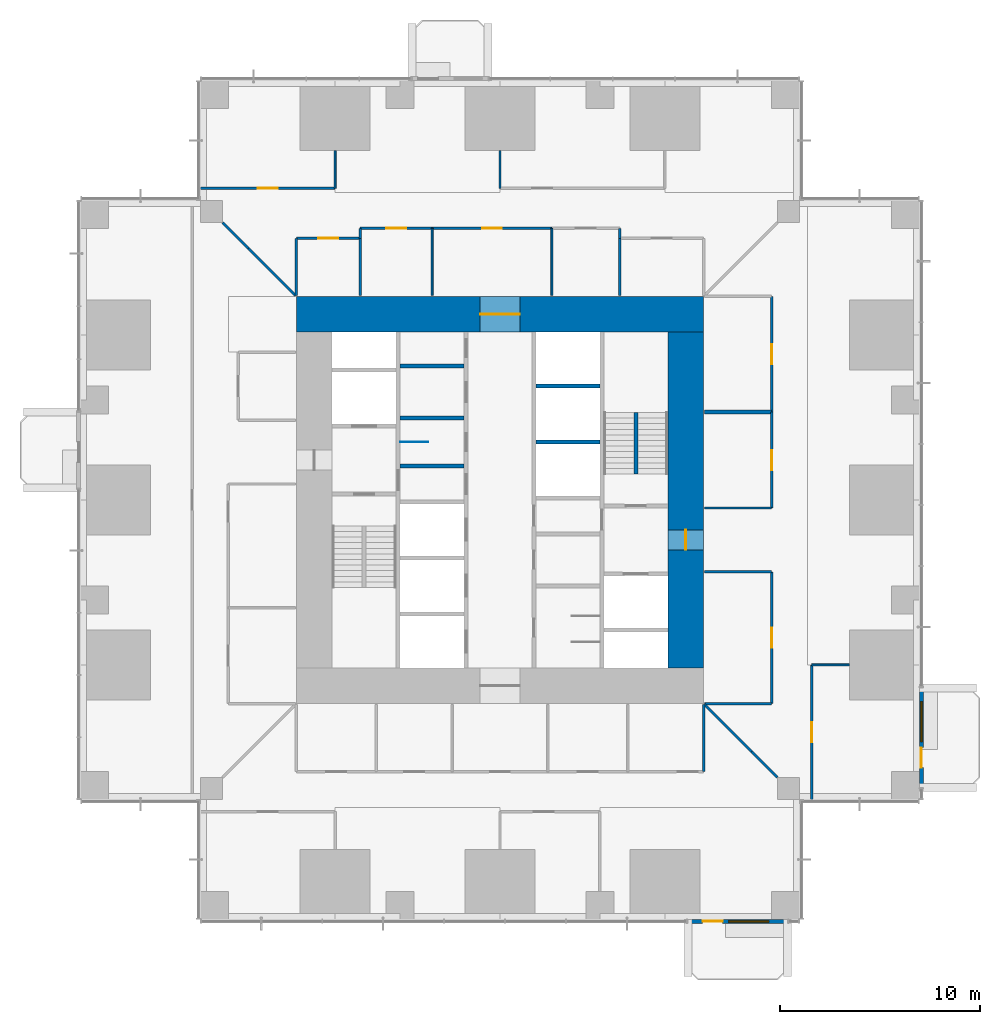
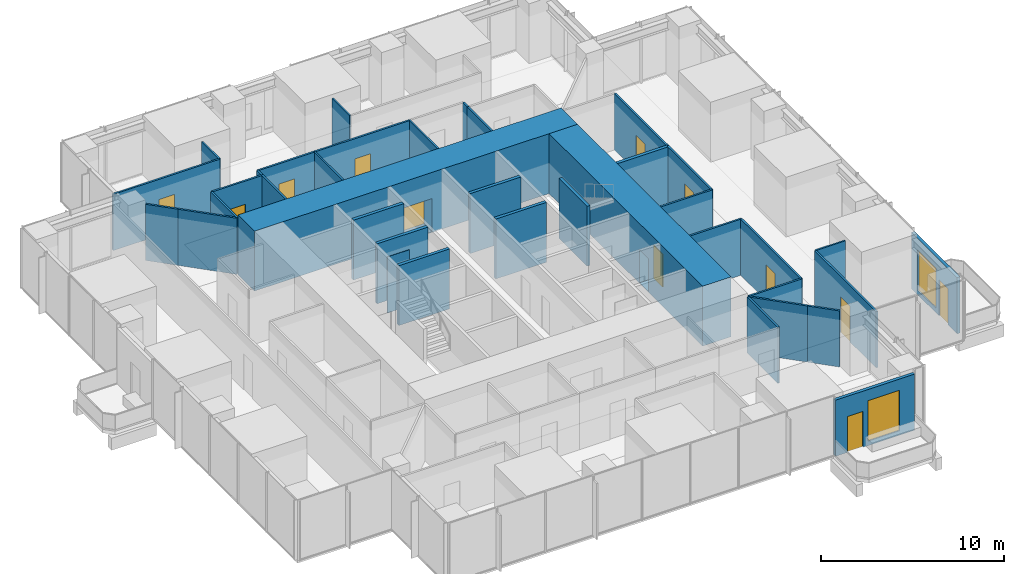
# One storey, part 11 of 15: 38 walls, 12 doors, 2 windows, 14 openings.
"""IFC4 building model written with IfcOpenShell, lengths in metres."""

from ifc_helpers import new_model, si_unit, direction, frame, frame_2d, origin, place, context, subcontext, project, spatial, rectangle, extrude, material, layer, layer_set, type_object, element, fill, save


model = new_model("IFC4")

# Units and contexts
model_context = context("Model", 3, precision=1e-05, world=origin(), true_north=direction((0.0, 1.0)))
body_context = subcontext(model_context, "Body", "Model", "MODEL_VIEW")
ifc_project = project(units=[si_unit("LENGTHUNIT", "METRE"), si_unit("AREAUNIT", "SQUARE_METRE"), si_unit("VOLUMEUNIT", "CUBIC_METRE"), si_unit("PLANEANGLEUNIT", "RADIAN"), si_unit("MASSUNIT", "GRAM", prefix="KILO")], contexts=[model_context])

# Site, building, storey
site_placement = place(None, origin())
site = spatial("IfcSite", under=ifc_project, at=site_placement, CompositionType="ELEMENT")
building_placement = place(site_placement, origin())
building = spatial("IfcBuilding", under=site, at=building_placement, Name="Svetlomir Tower", CompositionType="ELEMENT")
storey_placement = place(building_placement, frame((0.0, 0.0, 42.5)))
storey = spatial("IfcBuildingStorey", under=building, at=storey_placement, Name="L09", CompositionType="ELEMENT", Elevation=42.5)

# Wall
ifc_material_1 = material(Name="Gypsum board on twin steel studs", Category="steel")
ifc_layer_1 = layer(ifc_material_1, 0.199951171875)
ifc_layer_set_1 = layer_set([ifc_layer_1], Name="Gypsum board on twin steel studs")
wall_type_1 = type_object("IfcWallType", Name="ACOUSTIC PARTITION 200", PredefinedType="PARTITIONING", material=ifc_layer_set_1)
wall_1_placement = place(storey_placement, frame((31.25, 25.39990234375, 0.0), z_axis=(0.0, 0.0, 1.0), x_axis=(1.0, 0.0, 0.0)))
element("IfcWall", 1, at=wall_1_placement, inside=storey, type_object=wall_type_1, Name="Acoustic partition L09", PredefinedType="PARTITIONING", context=body_context, shape_type="SweptSolid", body=[
    extrude(rectangle(XDim=3.35009765625, YDim=0.199951171875, at=frame_2d((1.675048828125, 0.0))), origin(), (0.0, 0.0, 1.0), 3.75),
])

# Wall, openings, door, window
ifc_material_2 = material(Name="Bronze anodised aluminium glazed screen", Category="aluminium")
ifc_layer_2 = layer(ifc_material_2, 0.199951171875)
ifc_layer_set_2 = layer_set([ifc_layer_2], Name="Bronze anodised aluminium glazed screen")
wall_type_2 = type_object("IfcWallType", Name="BALCONY SCREEN WALL 200", PredefinedType="USERDEFINED", material=ifc_layer_set_2)
wall_2_placement = place(storey_placement, frame((30.39990234375, -0.10009765625, 0.0), z_axis=(0.0, 0.0, 1.0), x_axis=(1.0, 0.0, 0.0)))
wall_2 = element("IfcWall", 2, at=wall_2_placement, inside=storey, type_object=wall_type_2, Name="Balcony screen S", ObjectType="GLAZED SCREEN", PredefinedType="USERDEFINED", context=body_context, shape_type="SweptSolid", body=[
    extrude(rectangle(XDim=5.0, YDim=0.199951171875, at=frame_2d((2.5, 0.0))), origin(), (0.0, 0.0, 1.0), 3.75),
])
opening_1_placement = place(wall_2_placement, frame((0.75, 0.0, 0.0)))
opening_1 = element("IfcOpeningElement", 3, at=opening_1_placement, cuts=wall_2, Name="Opening BD", PredefinedType="OPENING", context=body_context, shape_type="SweptSolid", body=[
    extrude(rectangle(XDim=1.0, YDim=2.39990234375, at=frame_2d((0.5, 1.199951171875))), frame((0.0, 0.10986328125, 0.0), z_axis=(0.0, -1.0, 0.0), x_axis=(1.0, 0.0, 0.0)), (0.0, 0.0, 1.0), 0.219970703125),
])
opening_2_placement = place(wall_2_placement, frame((2.050048828125, 0.0, 0.300048828125)))
opening_2 = element("IfcOpeningElement", 4, at=opening_2_placement, cuts=wall_2, Name="Opening WS", PredefinedType="OPENING", context=body_context, shape_type="SweptSolid", body=[
    extrude(rectangle(XDim=2.0, YDim=2.699951171875, at=frame_2d((1.0, 1.35009765625))), frame((0.0, 0.10986328125, 0.0), z_axis=(0.0, -1.0, 0.0), x_axis=(1.0, 0.0, 0.0)), (0.0, 0.0, 1.0), 0.219970703125),
])
ifc_material_3 = material(Name="Bronze anodised aluminium glazed door", Category="aluminium")
door_type_1 = type_object("IfcDoorType", Name="BALCONY DOOR BD 1000x2400", OperationType="SINGLE_SWING_LEFT", PredefinedType="DOOR", material=ifc_material_3)
door_1_placement = place(opening_1_placement, origin())
door_1 = element("IfcDoor", 5, at=door_1_placement, inside=storey, type_object=door_type_1, Name="Balcony screen S door", OperationType="SINGLE_SWING_LEFT", OverallHeight=2.39990234375, OverallWidth=1.0, PredefinedType="DOOR", context=body_context, shape_type="SweptSolid", body=[
    extrude(rectangle(XDim=1.0, YDim=2.39990234375, at=frame_2d((0.5, 1.199951171875))), frame((0.0, 0.02490234375, 0.0), z_axis=(0.0, -1.0, 0.0), x_axis=(1.0, 0.0, 0.0)), (0.0, 0.0, 1.0), 0.050048828125),
])
fill(opening_1, door_1)
ifc_material_4 = material(Name="Bronze anodised aluminium window", Category="aluminium")
window_type = type_object("IfcWindowType", Name="SCREEN WINDOW WS 2000x2700", PartitioningType="SINGLE_PANEL", PredefinedType="WINDOW", material=ifc_material_4)
window_1_placement = place(opening_2_placement, origin())
window_1 = element("IfcWindow", 6, at=window_1_placement, inside=storey, type_object=window_type, Name="Balcony screen S window 1", OverallHeight=2.699951171875, OverallWidth=2.0, PartitioningType="SINGLE_PANEL", PredefinedType="WINDOW", context=body_context, shape_type="SweptSolid", body=[
    extrude(rectangle(XDim=2.0, YDim=2.699951171875, at=frame_2d((1.0, 1.35009765625))), frame((0.0, 0.030029296875, 0.0), z_axis=(0.0, -1.0, 0.0), x_axis=(1.0, 0.0, 0.0)), (0.0, 0.0, 1.0), 0.06005859375),
])
fill(opening_2, window_1)

wall_3_placement = place(storey_placement, frame((42.10009765625, 6.60009765625, 0.0), z_axis=(0.0, 0.0, 1.0), x_axis=(0.0, 1.0, 0.0)))
wall_3 = element("IfcWall", 7, at=wall_3_placement, inside=storey, type_object=wall_type_2, Name="Balcony screen E", ObjectType="GLAZED SCREEN", PredefinedType="USERDEFINED", context=body_context, shape_type="SweptSolid", body=[
    extrude(rectangle(XDim=5.0, YDim=0.199951171875, at=frame_2d((2.5, 0.0))), origin(), (0.0, 0.0, 1.0), 3.75),
])
opening_3_placement = place(wall_3_placement, frame((1.0, 0.0, 0.0)))
opening_3 = element("IfcOpeningElement", 8, at=opening_3_placement, cuts=wall_3, Name="Opening BD", PredefinedType="OPENING", context=body_context, shape_type="SweptSolid", body=[
    extrude(rectangle(XDim=1.0, YDim=2.39990234375, at=frame_2d((0.5, 1.199951171875))), frame((0.0, 0.10986328125, 0.0), z_axis=(0.0, -1.0, 0.0), x_axis=(1.0, 0.0, 0.0)), (0.0, 0.0, 1.0), 0.219970703125),
])
opening_4_placement = place(wall_3_placement, frame((2.300048828125, 0.0, 0.300048828125)))
opening_4 = element("IfcOpeningElement", 9, at=opening_4_placement, cuts=wall_3, Name="Opening WS", PredefinedType="OPENING", context=body_context, shape_type="SweptSolid", body=[
    extrude(rectangle(XDim=2.0, YDim=2.699951171875, at=frame_2d((1.0, 1.35009765625))), frame((0.0, 0.10986328125, 0.0), z_axis=(0.0, -1.0, 0.0), x_axis=(1.0, 0.0, 0.0)), (0.0, 0.0, 1.0), 0.219970703125),
])
door_2_placement = place(opening_3_placement, origin())
door_2 = element("IfcDoor", 10, at=door_2_placement, inside=storey, type_object=door_type_1, Name="Balcony screen E door", OperationType="SINGLE_SWING_LEFT", OverallHeight=2.39990234375, OverallWidth=1.0, PredefinedType="DOOR", context=body_context, shape_type="SweptSolid", body=[
    extrude(rectangle(XDim=1.0, YDim=2.39990234375, at=frame_2d((0.5, 1.199951171875))), frame((0.0, 0.02490234375, 0.0), z_axis=(0.0, -1.0, 0.0), x_axis=(1.0, 0.0, 0.0)), (0.0, 0.0, 1.0), 0.050048828125),
])
fill(opening_3, door_2)
window_2_placement = place(opening_4_placement, origin())
window_2 = element("IfcWindow", 11, at=window_2_placement, inside=storey, type_object=window_type, Name="Balcony screen E window 1", OverallHeight=2.699951171875, OverallWidth=2.0, PartitioningType="SINGLE_PANEL", PredefinedType="WINDOW", context=body_context, shape_type="SweptSolid", body=[
    extrude(rectangle(XDim=2.0, YDim=2.699951171875, at=frame_2d((1.0, 1.35009765625))), frame((0.0, 0.030029296875, 0.0), z_axis=(0.0, -1.0, 0.0), x_axis=(1.0, 0.0, 0.0)), (0.0, 0.0, 1.0), 0.06005859375),
])
fill(opening_4, window_2)

# Walls
ifc_material_5 = material(Name="Concrete C60/75", Category="concrete")
ifc_layer_3 = layer(ifc_material_5, 0.199951171875)
ifc_layer_set_3 = layer_set([ifc_layer_3], Name="Concrete C60/75")
wall_type_3 = type_object("IfcWallType", Name="CORE INNER WALL 200", PredefinedType="SHEAR", material=ifc_layer_set_3)
for number, where, z_axis, x_axis, name in (
    (12, (16.0, 22.699951171875, -0.050048828125), (0.0, 0.0, 1.0), (1.0, 0.0, 0.0), "Core inner wall 16-19.2/22.7 L09"),
    (13, (16.0, 25.10009765625, -0.050048828125), (0.0, 0.0, 1.0), (1.0, 0.0, 0.0), "Core inner wall 16-19.2/25.1 L09"),
    (14, (16.0, 27.699951171875, -0.050048828125), (0.0, 0.0, 1.0), (1.0, 0.0, 0.0), "Core inner wall 16-19.2/27.7 L09"),
    (15, (22.800048828125, 23.89990234375, -0.050048828125), (0.0, 0.0, 1.0), (1.0, 0.0, 0.0), "Core inner wall 22.8-26/23.9 L09"),
    (16, (22.800048828125, 26.699951171875, -0.050048828125), (0.0, 0.0, 1.0), (1.0, 0.0, 0.0), "Core inner wall 22.8-26/26.7 L09"),
):
    element("IfcWall", number, at=place(storey_placement, frame(where, z_axis=z_axis, x_axis=x_axis)), inside=storey, type_object=wall_type_3, Name=name, PredefinedType="SHEAR", context=body_context, shape_type="SweptSolid", body=[
        extrude(rectangle(XDim=3.199951171875, YDim=0.199951171875, at=frame_2d((1.60009765625, 0.0))), origin(), (0.0, 0.0, 1.0), 4.0),
    ])

# Wall, opening, door
ifc_material_6 = material(Name="Concrete C60/75", Category="concrete")
ifc_layer_4 = layer(ifc_material_6, 1.800048828125)
ifc_layer_set_4 = layer_set([ifc_layer_4], Name="Concrete C60/75")
wall_type_4 = type_object("IfcWallType", Name="CORE WALL 1800", PredefinedType="SHEAR", material=ifc_layer_set_4)
wall_4_placement = place(storey_placement, frame((10.800048828125, 30.300048828125, -0.050048828125), z_axis=(0.0, 0.0, 1.0), x_axis=(1.0, 0.0, 0.0)))
wall_4 = element("IfcWall", 17, at=wall_4_placement, inside=storey, type_object=wall_type_4, Name="Core wall north L09", PredefinedType="SHEAR", context=body_context, shape_type="SweptSolid", body=[
    extrude(rectangle(XDim=20.39990234375, YDim=1.800048828125, at=frame_2d((10.199951171875, 0.0))), origin(), (0.0, 0.0, 1.0), 4.0),
])
opening_5_placement = place(wall_4_placement, frame((9.199951171875, 0.0, 0.050048828125)))
opening_5 = element("IfcOpeningElement", 18, at=opening_5_placement, cuts=wall_4, Name="Opening DL", PredefinedType="OPENING", context=body_context, shape_type="SweptSolid", body=[
    extrude(rectangle(XDim=2.0, YDim=2.199951171875, at=frame_2d((1.0, 1.10009765625))), frame((0.0, 0.91015625, 0.0), z_axis=(0.0, -1.0, 0.0), x_axis=(1.0, 0.0, 0.0)), (0.0, 0.0, 1.0), 1.820068359375),
])
ifc_material_7 = material(Name="Steel fire door", Category="steel")
door_type_2 = type_object("IfcDoorType", Name="DOOR DL 2000x2200", OperationType="DOUBLE_DOOR_SINGLE_SWING", PredefinedType="DOOR", material=ifc_material_7)
door_3_placement = place(opening_5_placement, origin())
door_3 = element("IfcDoor", 19, at=door_3_placement, inside=storey, type_object=door_type_2, Name="Lift lobby north door L09", OperationType="DOUBLE_DOOR_SINGLE_SWING", OverallHeight=2.199951171875, OverallWidth=2.0, PredefinedType="DOOR", context=body_context, shape_type="SweptSolid", body=[
    extrude(rectangle(XDim=2.0, YDim=2.199951171875, at=frame_2d((1.0, 1.10009765625))), frame((0.0, 0.02490234375, 0.0), z_axis=(0.0, -1.0, 0.0), x_axis=(1.0, 0.0, 0.0)), (0.0, 0.0, 1.0), 0.050048828125),
])
fill(opening_5, door_3)

wall_5_placement = place(storey_placement, frame((30.300048828125, 12.60009765625, -0.050048828125), z_axis=(0.0, 0.0, 1.0), x_axis=(0.0, 1.0, 0.0)))
wall_5 = element("IfcWall", 20, at=wall_5_placement, inside=storey, type_object=wall_type_4, Name="Core wall east L09", PredefinedType="SHEAR", context=body_context, shape_type="SweptSolid", body=[
    extrude(rectangle(XDim=16.7998046875, YDim=1.800048828125, at=frame_2d((8.39990234375, 0.0))), origin(), (0.0, 0.0, 1.0), 4.0),
])
opening_6_placement = place(wall_5_placement, frame((5.89990234375, 0.0, 0.050048828125)))
opening_6 = element("IfcOpeningElement", 21, at=opening_6_placement, cuts=wall_5, Name="Opening DF", PredefinedType="OPENING", context=body_context, shape_type="SweptSolid", body=[
    extrude(rectangle(XDim=1.0, YDim=2.199951171875, at=frame_2d((0.5, 1.10009765625))), frame((0.0, 0.91015625, 0.0), z_axis=(0.0, -1.0, 0.0), x_axis=(1.0, 0.0, 0.0)), (0.0, 0.0, 1.0), 1.820068359375),
])
ifc_material_8 = material(Name="Steel fire door", Category="steel")
door_type_3 = type_object("IfcDoorType", Name="DOOR DF 1000x2200", OperationType="SINGLE_SWING_LEFT", PredefinedType="DOOR", material=ifc_material_8)
door_4_placement = place(opening_6_placement, origin())
door_4 = element("IfcDoor", 22, at=door_4_placement, inside=storey, type_object=door_type_3, Name="Firefighting lobby east door L09", OperationType="SINGLE_SWING_RIGHT", OverallHeight=2.199951171875, OverallWidth=1.0, PredefinedType="DOOR", context=body_context, shape_type="SweptSolid", body=[
    extrude(rectangle(XDim=1.0, YDim=2.199951171875, at=frame_2d((0.5, 1.10009765625))), frame((0.0, 0.02490234375, 0.0), z_axis=(0.0, -1.0, 0.0), x_axis=(1.0, 0.0, 0.0)), (0.0, 0.0, 1.0), 0.050048828125),
])
fill(opening_6, door_4)

# Walls
ifc_material_9 = material(Name="Framed laminated glass partition", Category="glass")
ifc_layer_5 = layer(ifc_material_9, 0.10009765625)
ifc_layer_set_5 = layer_set([ifc_layer_5], Name="Framed laminated glass partition")
wall_type_5 = type_object("IfcWallType", Name="GLAZED PARTITION 100", PredefinedType="PARTITIONING", material=ifc_layer_set_5)
wall_6_placement = place(storey_placement, frame((12.75, 36.60009765625, 0.0), z_axis=(0.0, 0.0, 1.0), x_axis=(0.0, 1.0, 0.0)))
element("IfcWall", 23, at=wall_6_placement, inside=storey, type_object=wall_type_5, Name="Glazed partition L09", PredefinedType="PARTITIONING", context=body_context, shape_type="SweptSolid", body=[
    extrude(rectangle(XDim=1.889892578125, YDim=0.10009765625, at=frame_2d((0.94482421875, 0.0))), origin(), (0.0, 0.0, 1.0), 3.75),
])
wall_7_placement = place(storey_placement, frame((17.60009765625, 31.25, 0.0), z_axis=(0.0, 0.0, 1.0), x_axis=(0.0, 1.0, 0.0)))
element("IfcWall", 24, at=wall_7_placement, inside=storey, type_object=wall_type_5, Name="Glazed partition L09", PredefinedType="PARTITIONING", context=body_context, shape_type="SweptSolid", body=[
    extrude(rectangle(XDim=3.35009765625, YDim=0.10009765625, at=frame_2d((1.675048828125, 0.0))), origin(), (0.0, 0.0, 1.0), 3.75),
])
wall_8_placement = place(storey_placement, frame((21.0, 36.60009765625, 0.0), z_axis=(0.0, 0.0, 1.0), x_axis=(0.0, 1.0, 0.0)))
element("IfcWall", 25, at=wall_8_placement, inside=storey, type_object=wall_type_5, Name="Glazed partition L09", PredefinedType="PARTITIONING", context=body_context, shape_type="SweptSolid", body=[
    extrude(rectangle(XDim=1.889892578125, YDim=0.10009765625, at=frame_2d((0.94482421875, 0.0))), origin(), (0.0, 0.0, 1.0), 3.75),
])
wall_9_placement = place(storey_placement, frame((23.60009765625, 31.25, 0.0), z_axis=(0.0, 0.0, 1.0), x_axis=(0.0, 1.0, 0.0)))
element("IfcWall", 26, at=wall_9_placement, inside=storey, type_object=wall_type_5, Name="Glazed partition L09", PredefinedType="PARTITIONING", context=body_context, shape_type="SweptSolid", body=[
    extrude(rectangle(XDim=3.35009765625, YDim=0.10009765625, at=frame_2d((1.675048828125, 0.0))), origin(), (0.0, 0.0, 1.0), 3.75),
])
wall_10_placement = place(storey_placement, frame((36.60009765625, 12.75, 0.0), z_axis=(0.0, 0.0, 1.0), x_axis=(1.0, 0.0, 0.0)))
element("IfcWall", 27, at=wall_10_placement, inside=storey, type_object=wall_type_5, Name="Glazed partition L09", PredefinedType="PARTITIONING", context=body_context, shape_type="SweptSolid", body=[
    extrude(rectangle(XDim=1.889892578125, YDim=0.10009765625, at=frame_2d((0.94482421875, 0.0))), origin(), (0.0, 0.0, 1.0), 3.75),
])

# Wall, opening, door
ifc_material_10 = material(Name="Gypsum board on steel studs", Category="steel")
ifc_layer_6 = layer(ifc_material_10, 0.1201171875)
ifc_layer_set_6 = layer_set([ifc_layer_6], Name="Gypsum board on steel studs")
wall_type_6 = type_object("IfcWallType", Name="PARTITION 120", PredefinedType="PARTITIONING", material=ifc_layer_set_6)
wall_11_placement = place(storey_placement, frame((6.0, 36.60009765625, 0.0), z_axis=(0.0, 0.0, 1.0), x_axis=(1.0, 0.0, 0.0)))
wall_11 = element("IfcWall", 28, at=wall_11_placement, inside=storey, type_object=wall_type_6, Name="Partition L09", PredefinedType="PARTITIONING", context=body_context, shape_type="SweptSolid", body=[
    extrude(rectangle(XDim=6.75, YDim=0.1201171875, at=frame_2d((3.375, 0.0))), origin(), (0.0, 0.0, 1.0), 3.75),
])
opening_7_placement = place(wall_11_placement, frame((2.875, 0.0, 0.0)))
opening_7 = element("IfcOpeningElement", 29, at=opening_7_placement, cuts=wall_11, Name="Opening DG", PredefinedType="OPENING", context=body_context, shape_type="SweptSolid", body=[
    extrude(rectangle(XDim=1.0, YDim=2.39990234375, at=frame_2d((0.5, 1.199951171875))), frame((0.0, 0.070068359375, 0.0), z_axis=(0.0, -1.0, 0.0), x_axis=(1.0, 0.0, 0.0)), (0.0, 0.0, 1.0), 0.14013671875),
])
ifc_material_11 = material(Name="Framed laminated glass door", Category="glass")
door_type_4 = type_object("IfcDoorType", Name="GLAZED DOOR DG 1000x2400", OperationType="SINGLE_SWING_LEFT", PredefinedType="DOOR", material=ifc_material_11)
door_5_placement = place(opening_7_placement, origin())
door_5 = element("IfcDoor", 30, at=door_5_placement, inside=storey, type_object=door_type_4, Name="Build lab door L09", OperationType="SINGLE_SWING_RIGHT", OverallHeight=2.39990234375, OverallWidth=1.0, PredefinedType="DOOR", context=body_context, shape_type="SweptSolid", body=[
    extrude(rectangle(XDim=1.0, YDim=2.39990234375, at=frame_2d((0.5, 1.199951171875))), frame((0.0, 0.02490234375, 0.0), z_axis=(0.0, -1.0, 0.0), x_axis=(1.0, 0.0, 0.0)), (0.0, 0.0, 1.0), 0.050048828125),
])
fill(opening_7, door_5)

# Walls
wall_12_placement = place(storey_placement, frame((7.110107421875, 34.889892578125, 0.0), z_axis=(0.0, 0.0, 1.0), x_axis=(0.707106781187, -0.707106781187, 0.0)))
element("IfcWall", 31, at=wall_12_placement, inside=storey, type_object=wall_type_6, Name="Partition L09", PredefinedType="PARTITIONING", context=body_context, shape_type="SweptSolid", body=[
    extrude(rectangle(XDim=1.822021484375, YDim=0.1201171875, at=frame_2d((0.9111328125, 0.0))), origin(), (0.0, 0.0, 1.0), 3.75),
])
wall_13_placement = place(storey_placement, frame((8.3984375, 33.6015625, 0.0), z_axis=(0.0, 0.0, 1.0), x_axis=(0.707106781187, -0.707106781187, 0.0)))
element("IfcWall", 32, at=wall_13_placement, inside=storey, type_object=wall_type_6, Name="Partition L09", PredefinedType="PARTITIONING", context=body_context, shape_type="SweptSolid", body=[
    extrude(rectangle(XDim=3.346435546875, YDim=0.1201171875, at=frame_2d((1.67333984375, 0.0))), origin(), (0.0, 0.0, 1.0), 3.75),
])
wall_14_placement = place(storey_placement, frame((10.800048828125, 31.25, 0.0), z_axis=(0.0, 0.0, 1.0), x_axis=(0.0, 1.0, 0.0)))
element("IfcWall", 33, at=wall_14_placement, inside=storey, type_object=wall_type_6, Name="Partition L09", PredefinedType="PARTITIONING", context=body_context, shape_type="SweptSolid", body=[
    extrude(rectangle(XDim=2.85009765625, YDim=0.1201171875, at=frame_2d((1.425048828125, 0.0))), origin(), (0.0, 0.0, 1.0), 3.75),
])

# Wall, opening, door
wall_15_placement = place(storey_placement, frame((10.800048828125, 34.10009765625, 0.0), z_axis=(0.0, 0.0, 1.0), x_axis=(1.0, 0.0, 0.0)))
wall_15 = element("IfcWall", 34, at=wall_15_placement, inside=storey, type_object=wall_type_6, Name="Partition L09", PredefinedType="PARTITIONING", context=body_context, shape_type="SweptSolid", body=[
    extrude(rectangle(XDim=3.199951171875, YDim=0.1201171875, at=frame_2d((1.60009765625, 0.0))), origin(), (0.0, 0.0, 1.0), 3.75),
])
opening_8_placement = place(wall_15_placement, frame((1.10009765625, 0.0, 0.0)))
opening_8 = element("IfcOpeningElement", 35, at=opening_8_placement, cuts=wall_15, Name="Opening DR", PredefinedType="OPENING", context=body_context, shape_type="SweptSolid", body=[
    extrude(rectangle(XDim=1.0, YDim=2.199951171875, at=frame_2d((0.5, 1.10009765625))), frame((0.0, 0.070068359375, 0.0), z_axis=(0.0, -1.0, 0.0), x_axis=(1.0, 0.0, 0.0)), (0.0, 0.0, 1.0), 0.14013671875),
])
ifc_material_12 = material(Name="Timber door, glazed side light", Category="wood")
door_type_5 = type_object("IfcDoorType", Name="DOOR DR 1000x2200", OperationType="SINGLE_SWING_LEFT", PredefinedType="DOOR", material=ifc_material_12)
door_6_placement = place(opening_8_placement, origin())
door_6 = element("IfcDoor", 36, at=door_6_placement, inside=storey, type_object=door_type_5, Name="Device store door L09", OperationType="SINGLE_SWING_LEFT", OverallHeight=2.199951171875, OverallWidth=1.0, PredefinedType="DOOR", context=body_context, shape_type="SweptSolid", body=[
    extrude(rectangle(XDim=1.0, YDim=2.199951171875, at=frame_2d((0.5, 1.10009765625))), frame((0.0, 0.02490234375, 0.0), z_axis=(0.0, -1.0, 0.0), x_axis=(1.0, 0.0, 0.0)), (0.0, 0.0, 1.0), 0.050048828125),
])
fill(opening_8, door_6)

# Walls
wall_16_placement = place(storey_placement, frame((14.0, 31.25, 0.0), z_axis=(0.0, 0.0, 1.0), x_axis=(0.0, 1.0, 0.0)))
element("IfcWall", 37, at=wall_16_placement, inside=storey, type_object=wall_type_6, Name="Partition L09", PredefinedType="PARTITIONING", context=body_context, shape_type="SweptSolid", body=[
    extrude(rectangle(XDim=2.85009765625, YDim=0.1201171875, at=frame_2d((1.425048828125, 0.0))), origin(), (0.0, 0.0, 1.0), 3.75),
])
wall_17_placement = place(storey_placement, frame((14.0, 34.10009765625, 0.0), z_axis=(0.0, 0.0, 1.0), x_axis=(0.0, 1.0, 0.0)))
element("IfcWall", 38, at=wall_17_placement, inside=storey, type_object=wall_type_6, Name="Partition L09", PredefinedType="PARTITIONING", context=body_context, shape_type="SweptSolid", body=[
    extrude(rectangle(XDim=0.5, YDim=0.1201171875, at=frame_2d((0.25, 0.0))), origin(), (0.0, 0.0, 1.0), 3.75),
])

# Wall, opening, door
wall_18_placement = place(storey_placement, frame((14.0, 34.60009765625, 0.0), z_axis=(0.0, 0.0, 1.0), x_axis=(1.0, 0.0, 0.0)))
wall_18 = element("IfcWall", 39, at=wall_18_placement, inside=storey, type_object=wall_type_6, Name="Partition L09", PredefinedType="PARTITIONING", context=body_context, shape_type="SweptSolid", body=[
    extrude(rectangle(XDim=3.60009765625, YDim=0.1201171875, at=frame_2d((1.800048828125, 0.0))), origin(), (0.0, 0.0, 1.0), 3.75),
])
opening_9_placement = place(wall_18_placement, frame((1.300048828125, 0.0, 0.0)))
opening_9 = element("IfcOpeningElement", 40, at=opening_9_placement, cuts=wall_18, Name="Opening DG", PredefinedType="OPENING", context=body_context, shape_type="SweptSolid", body=[
    extrude(rectangle(XDim=1.0, YDim=2.39990234375, at=frame_2d((0.5, 1.199951171875))), frame((0.0, 0.070068359375, 0.0), z_axis=(0.0, -1.0, 0.0), x_axis=(1.0, 0.0, 0.0)), (0.0, 0.0, 1.0), 0.14013671875),
])
door_7_placement = place(opening_9_placement, origin())
door_7 = element("IfcDoor", 41, at=door_7_placement, inside=storey, type_object=door_type_4, Name="Huddle room, 6 seats door L09", OperationType="SINGLE_SWING_RIGHT", OverallHeight=2.39990234375, OverallWidth=1.0, PredefinedType="DOOR", context=body_context, shape_type="SweptSolid", body=[
    extrude(rectangle(XDim=1.0, YDim=2.39990234375, at=frame_2d((0.5, 1.199951171875))), frame((0.0, 0.02490234375, 0.0), z_axis=(0.0, -1.0, 0.0), x_axis=(1.0, 0.0, 0.0)), (0.0, 0.0, 1.0), 0.050048828125),
])
fill(opening_9, door_7)

wall_19_placement = place(storey_placement, frame((17.60009765625, 34.60009765625, 0.0), z_axis=(0.0, 0.0, 1.0), x_axis=(1.0, 0.0, 0.0)))
wall_19 = element("IfcWall", 42, at=wall_19_placement, inside=storey, type_object=wall_type_6, Name="Partition L09", PredefinedType="PARTITIONING", context=body_context, shape_type="SweptSolid", body=[
    extrude(rectangle(XDim=6.0, YDim=0.1201171875, at=frame_2d((3.0, 0.0))), origin(), (0.0, 0.0, 1.0), 3.75),
])
opening_10_placement = place(wall_19_placement, frame((2.5, 0.0, 0.0)))
opening_10 = element("IfcOpeningElement", 43, at=opening_10_placement, cuts=wall_19, Name="Opening DG", PredefinedType="OPENING", context=body_context, shape_type="SweptSolid", body=[
    extrude(rectangle(XDim=1.0, YDim=2.39990234375, at=frame_2d((0.5, 1.199951171875))), frame((0.0, 0.070068359375, 0.0), z_axis=(0.0, -1.0, 0.0), x_axis=(1.0, 0.0, 0.0)), (0.0, 0.0, 1.0), 0.14013671875),
])
door_8_placement = place(opening_10_placement, origin())
door_8 = element("IfcDoor", 44, at=door_8_placement, inside=storey, type_object=door_type_4, Name="Ring corridor 4 door 3 L09", OperationType="SINGLE_SWING_RIGHT", OverallHeight=2.39990234375, OverallWidth=1.0, PredefinedType="DOOR", context=body_context, shape_type="SweptSolid", body=[
    extrude(rectangle(XDim=1.0, YDim=2.39990234375, at=frame_2d((0.5, 1.199951171875))), frame((0.0, 0.02490234375, 0.0), z_axis=(0.0, -1.0, 0.0), x_axis=(1.0, 0.0, 0.0)), (0.0, 0.0, 1.0), 0.050048828125),
])
fill(opening_10, door_8)

# Walls
wall_20_placement = place(storey_placement, frame((27.0, 31.25, 0.0), z_axis=(0.0, 0.0, 1.0), x_axis=(0.0, 1.0, 0.0)))
element("IfcWall", 45, at=wall_20_placement, inside=storey, type_object=wall_type_6, Name="Partition L09", PredefinedType="PARTITIONING", context=body_context, shape_type="SweptSolid", body=[
    extrude(rectangle(XDim=2.85009765625, YDim=0.1201171875, at=frame_2d((1.425048828125, 0.0))), origin(), (0.0, 0.0, 1.0), 3.75),
])
wall_21_placement = place(storey_placement, frame((27.0, 34.10009765625, 0.0), z_axis=(0.0, 0.0, 1.0), x_axis=(0.0, 1.0, 0.0)))
element("IfcWall", 46, at=wall_21_placement, inside=storey, type_object=wall_type_6, Name="Partition L09", PredefinedType="PARTITIONING", context=body_context, shape_type="SweptSolid", body=[
    extrude(rectangle(XDim=0.5, YDim=0.1201171875, at=frame_2d((0.25, 0.0))), origin(), (0.0, 0.0, 1.0), 3.75),
])
wall_22_placement = place(storey_placement, frame((31.199951171875, 7.39990234375, 0.0), z_axis=(0.0, 0.0, 1.0), x_axis=(0.0, 1.0, 0.0)))
element("IfcWall", 47, at=wall_22_placement, inside=storey, type_object=wall_type_6, Name="Partition L09", PredefinedType="PARTITIONING", context=body_context, shape_type="SweptSolid", body=[
    extrude(rectangle(XDim=3.35009765625, YDim=0.1201171875, at=frame_2d((1.675048828125, 0.0))), origin(), (0.0, 0.0, 1.0), 3.75),
])
wall_23_placement = place(storey_placement, frame((31.2353515625, 10.7646484375, 0.0), z_axis=(0.0, 0.0, 1.0), x_axis=(0.707106781187, -0.707106781187, 0.0)))
element("IfcWall", 48, at=wall_23_placement, inside=storey, type_object=wall_type_6, Name="Partition L09", PredefinedType="PARTITIONING", context=body_context, shape_type="SweptSolid", body=[
    extrude(rectangle(XDim=3.346435546875, YDim=0.1201171875, at=frame_2d((1.67333984375, 0.0))), origin(), (0.0, 0.0, 1.0), 3.75),
])
for number, where, z_axis, x_axis, name in (
    (49, (31.25, 10.800048828125, 0.0), (0.0, 0.0, 1.0), (1.0, 0.0, 0.0), "Partition L09"),
    (50, (31.25, 17.39990234375, 0.0), (0.0, 0.0, 1.0), (1.0, 0.0, 0.0), "Partition L09"),
    (51, (31.25, 20.60009765625, 0.0), (0.0, 0.0, 1.0), (1.0, 0.0, 0.0), "Partition L09"),
):
    element("IfcWall", number, at=place(storey_placement, frame(where, z_axis=z_axis, x_axis=x_axis)), inside=storey, type_object=wall_type_6, Name=name, PredefinedType="PARTITIONING", context=body_context, shape_type="SweptSolid", body=[
        extrude(rectangle(XDim=3.35009765625, YDim=0.1201171875, at=frame_2d((1.675048828125, 0.0))), origin(), (0.0, 0.0, 1.0), 3.75),
    ])
wall_24_placement = place(storey_placement, frame((33.6015625, 8.3984375, 0.0), z_axis=(0.0, 0.0, 1.0), x_axis=(0.707106781187, -0.707106781187, 0.0)))
element("IfcWall", 52, at=wall_24_placement, inside=storey, type_object=wall_type_6, Name="Partition L09", PredefinedType="PARTITIONING", context=body_context, shape_type="SweptSolid", body=[
    extrude(rectangle(XDim=1.822021484375, YDim=0.1201171875, at=frame_2d((0.9111328125, 0.0))), origin(), (0.0, 0.0, 1.0), 3.75),
])

# Wall, opening, door
wall_25_placement = place(storey_placement, frame((34.60009765625, 10.800048828125, 0.0), z_axis=(0.0, 0.0, 1.0), x_axis=(0.0, 1.0, 0.0)))
wall_25 = element("IfcWall", 53, at=wall_25_placement, inside=storey, type_object=wall_type_6, Name="Partition L09", PredefinedType="PARTITIONING", context=body_context, shape_type="SweptSolid", body=[
    extrude(rectangle(XDim=6.599853515625, YDim=0.1201171875, at=frame_2d((3.2998046875, 0.0))), origin(), (0.0, 0.0, 1.0), 3.75),
])
opening_11_placement = place(wall_25_placement, frame((2.800048828125, 0.0, 0.0)))
opening_11 = element("IfcOpeningElement", 54, at=opening_11_placement, cuts=wall_25, Name="Opening DG", PredefinedType="OPENING", context=body_context, shape_type="SweptSolid", body=[
    extrude(rectangle(XDim=1.0, YDim=2.39990234375, at=frame_2d((0.5, 1.199951171875))), frame((0.0, 0.070068359375, 0.0), z_axis=(0.0, -1.0, 0.0), x_axis=(1.0, 0.0, 0.0)), (0.0, 0.0, 1.0), 0.14013671875),
])
door_9_placement = place(opening_11_placement, origin())
door_9 = element("IfcDoor", 55, at=door_9_placement, inside=storey, type_object=door_type_4, Name="Sprint planning room, 12 seats door L09", OperationType="SINGLE_SWING_LEFT", OverallHeight=2.39990234375, OverallWidth=1.0, PredefinedType="DOOR", context=body_context, shape_type="SweptSolid", body=[
    extrude(rectangle(XDim=1.0, YDim=2.39990234375, at=frame_2d((0.5, 1.199951171875))), frame((0.0, 0.02490234375, 0.0), z_axis=(0.0, -1.0, 0.0), x_axis=(1.0, 0.0, 0.0)), (0.0, 0.0, 1.0), 0.050048828125),
])
fill(opening_11, door_9)

wall_26_placement = place(storey_placement, frame((34.60009765625, 20.60009765625, 0.0), z_axis=(0.0, 0.0, 1.0), x_axis=(0.0, 1.0, 0.0)))
wall_26 = element("IfcWall", 56, at=wall_26_placement, inside=storey, type_object=wall_type_6, Name="Partition L09", PredefinedType="PARTITIONING", context=body_context, shape_type="SweptSolid", body=[
    extrude(rectangle(XDim=4.7998046875, YDim=0.1201171875, at=frame_2d((2.39990234375, 0.0))), origin(), (0.0, 0.0, 1.0), 3.75),
])
opening_12_placement = place(wall_26_placement, frame((1.89990234375, 0.0, 0.0)))
opening_12 = element("IfcOpeningElement", 57, at=opening_12_placement, cuts=wall_26, Name="Opening DG", PredefinedType="OPENING", context=body_context, shape_type="SweptSolid", body=[
    extrude(rectangle(XDim=1.0, YDim=2.39990234375, at=frame_2d((0.5, 1.199951171875))), frame((0.0, 0.070068359375, 0.0), z_axis=(0.0, -1.0, 0.0), x_axis=(1.0, 0.0, 0.0)), (0.0, 0.0, 1.0), 0.14013671875),
])
door_10_placement = place(opening_12_placement, origin())
door_10 = element("IfcDoor", 58, at=door_10_placement, inside=storey, type_object=door_type_4, Name="Meeting room, 8 seats door L09", OperationType="SINGLE_SWING_RIGHT", OverallHeight=2.39990234375, OverallWidth=1.0, PredefinedType="DOOR", context=body_context, shape_type="SweptSolid", body=[
    extrude(rectangle(XDim=1.0, YDim=2.39990234375, at=frame_2d((0.5, 1.199951171875))), frame((0.0, 0.02490234375, 0.0), z_axis=(0.0, -1.0, 0.0), x_axis=(1.0, 0.0, 0.0)), (0.0, 0.0, 1.0), 0.050048828125),
])
fill(opening_12, door_10)

wall_27_placement = place(storey_placement, frame((34.60009765625, 25.39990234375, 0.0), z_axis=(0.0, 0.0, 1.0), x_axis=(0.0, 1.0, 0.0)))
wall_27 = element("IfcWall", 59, at=wall_27_placement, inside=storey, type_object=wall_type_6, Name="Partition L09", PredefinedType="PARTITIONING", context=body_context, shape_type="SweptSolid", body=[
    extrude(rectangle(XDim=5.800048828125, YDim=0.1201171875, at=frame_2d((2.89990234375, 0.0))), origin(), (0.0, 0.0, 1.0), 3.75),
])
opening_13_placement = place(wall_27_placement, frame((2.39990234375, 0.0, 0.0)))
opening_13 = element("IfcOpeningElement", 60, at=opening_13_placement, cuts=wall_27, Name="Opening DG", PredefinedType="OPENING", context=body_context, shape_type="SweptSolid", body=[
    extrude(rectangle(XDim=1.0, YDim=2.39990234375, at=frame_2d((0.5, 1.199951171875))), frame((0.0, 0.070068359375, 0.0), z_axis=(0.0, -1.0, 0.0), x_axis=(1.0, 0.0, 0.0)), (0.0, 0.0, 1.0), 0.14013671875),
])
door_11_placement = place(opening_13_placement, origin())
door_11 = element("IfcDoor", 61, at=door_11_placement, inside=storey, type_object=door_type_4, Name="Scrum room, 6 seats door L09", OperationType="SINGLE_SWING_LEFT", OverallHeight=2.39990234375, OverallWidth=1.0, PredefinedType="DOOR", context=body_context, shape_type="SweptSolid", body=[
    extrude(rectangle(XDim=1.0, YDim=2.39990234375, at=frame_2d((0.5, 1.199951171875))), frame((0.0, 0.02490234375, 0.0), z_axis=(0.0, -1.0, 0.0), x_axis=(1.0, 0.0, 0.0)), (0.0, 0.0, 1.0), 0.050048828125),
])
fill(opening_13, door_11)

wall_28_placement = place(storey_placement, frame((36.60009765625, 6.0, 0.0), z_axis=(0.0, 0.0, 1.0), x_axis=(0.0, 1.0, 0.0)))
wall_28 = element("IfcWall", 62, at=wall_28_placement, inside=storey, type_object=wall_type_6, Name="Partition L09", PredefinedType="PARTITIONING", context=body_context, shape_type="SweptSolid", body=[
    extrude(rectangle(XDim=6.75, YDim=0.1201171875, at=frame_2d((3.375, 0.0))), origin(), (0.0, 0.0, 1.0), 3.75),
])
opening_14_placement = place(wall_28_placement, frame((2.875, 0.0, 0.0)))
opening_14 = element("IfcOpeningElement", 63, at=opening_14_placement, cuts=wall_28, Name="Opening DG", PredefinedType="OPENING", context=body_context, shape_type="SweptSolid", body=[
    extrude(rectangle(XDim=1.0, YDim=2.39990234375, at=frame_2d((0.5, 1.199951171875))), frame((0.0, 0.070068359375, 0.0), z_axis=(0.0, -1.0, 0.0), x_axis=(1.0, 0.0, 0.0)), (0.0, 0.0, 1.0), 0.14013671875),
])
door_12_placement = place(opening_14_placement, origin())
door_12 = element("IfcDoor", 64, at=door_12_placement, inside=storey, type_object=door_type_4, Name="Tech cafe and kitchenette door L09", OperationType="SINGLE_SWING_RIGHT", OverallHeight=2.39990234375, OverallWidth=1.0, PredefinedType="DOOR", context=body_context, shape_type="SweptSolid", body=[
    extrude(rectangle(XDim=1.0, YDim=2.39990234375, at=frame_2d((0.5, 1.199951171875))), frame((0.0, 0.02490234375, 0.0), z_axis=(0.0, -1.0, 0.0), x_axis=(1.0, 0.0, 0.0)), (0.0, 0.0, 1.0), 0.050048828125),
])
fill(opening_14, door_12)

# Walls
ifc_material_13 = material(Name="Concrete C60/75", Category="concrete")
ifc_layer_7 = layer(ifc_material_13, 0.199951171875)
ifc_layer_set_7 = layer_set([ifc_layer_7], Name="Concrete C60/75")
wall_type_7 = type_object("IfcWallType", Name="STAIR SPINE WALL 200", PredefinedType="PARTITIONING", material=ifc_layer_set_7)
wall_29_placement = place(storey_placement, frame((27.800048828125, 22.300048828125, 0.0), z_axis=(0.0, 0.0, 1.0), x_axis=(0.0, 1.0, 0.0)))
element("IfcWall", 65, at=wall_29_placement, inside=storey, type_object=wall_type_7, Name="Stair S2 spine wall L09", PredefinedType="PARTITIONING", context=body_context, shape_type="SweptSolid", body=[
    extrude(rectangle(XDim=3.079833984375, YDim=0.199951171875, at=frame_2d((1.5400390625, 0.0))), origin(), (0.0, 0.0, 1.0), 4.0),
])
ifc_material_14 = material(Name="Compact laminate panel", Category="plastic")
ifc_layer_8 = layer(ifc_material_14, 0.030029296875)
ifc_layer_set_8 = layer_set([ifc_layer_8], Name="Compact laminate panel")
wall_type_8 = type_object("IfcWallType", Name="WC CUBICLE PARTITION 30", PredefinedType="PARTITIONING", material=ifc_layer_set_8)
wall_30_placement = place(storey_placement, frame((16.0, 23.89990234375, 0.0), z_axis=(0.0, 0.0, 1.0), x_axis=(1.0, 0.0, 0.0)))
element("IfcWall", 66, at=wall_30_placement, inside=storey, type_object=wall_type_8, Name="WC cubicle partition L09", PredefinedType="PARTITIONING", context=body_context, shape_type="SweptSolid", body=[
    extrude(rectangle(XDim=1.39990234375, YDim=0.030029296875, at=frame_2d((0.699951171875, 0.0))), origin(), (0.0, 0.0, 1.0), 3.75),
])

save(model, "model.ifc")
